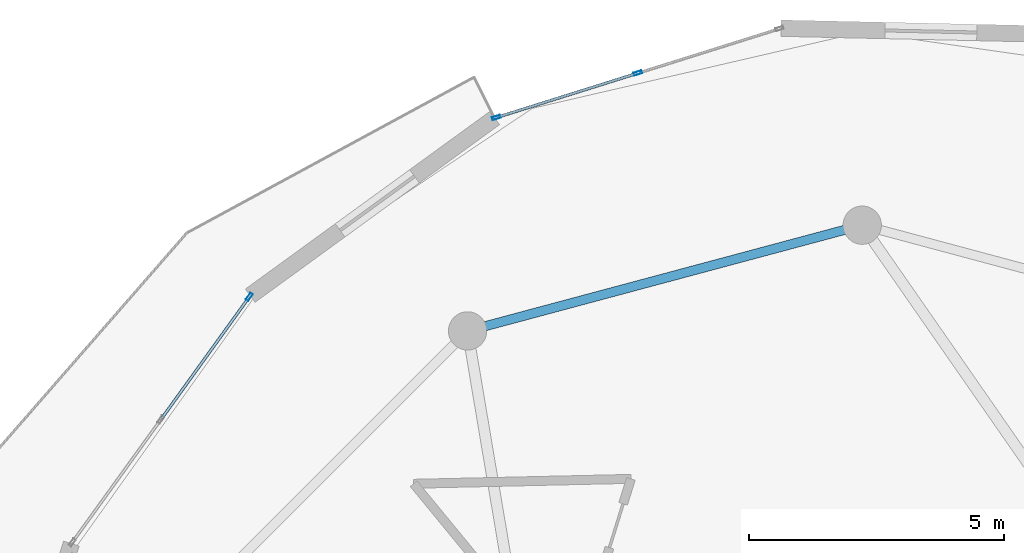
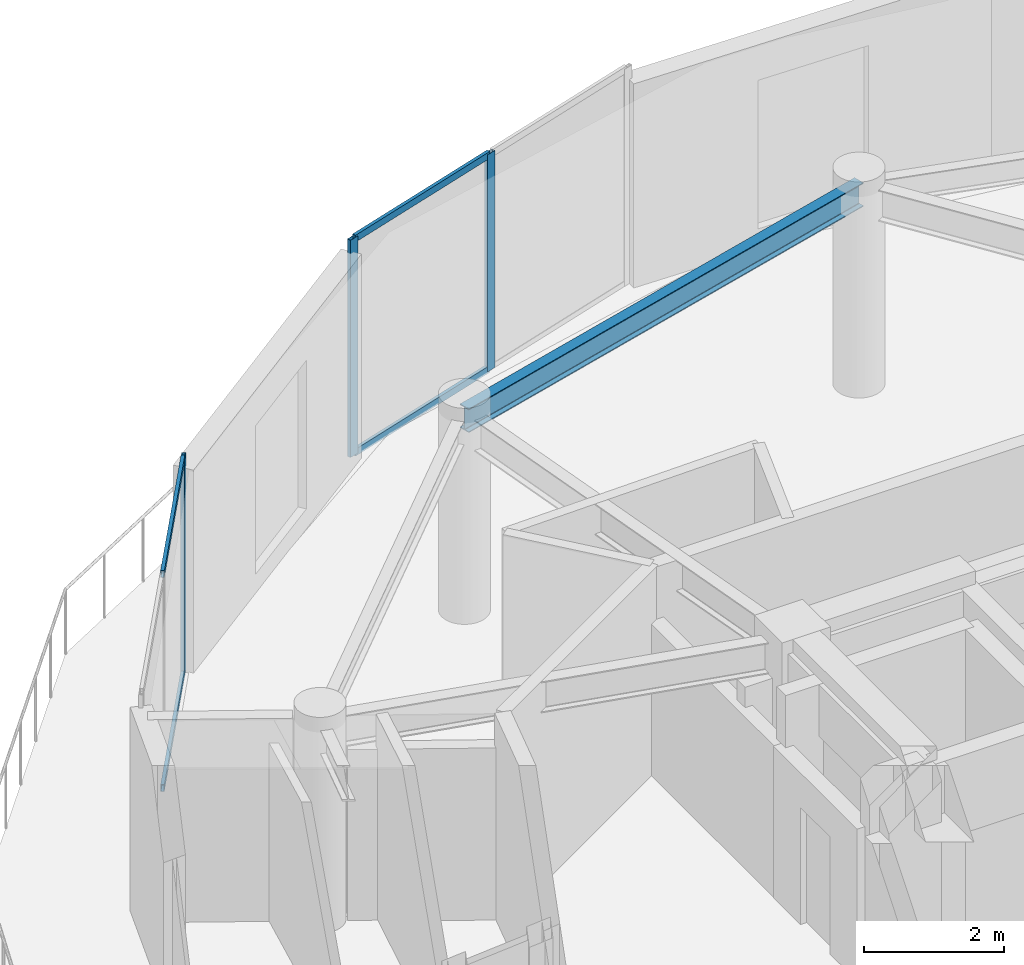
# One storey, part 11 of 19: 7 members, 1 beam, 2 elements without a shape of their own.
"""IFC4 building model written with IfcOpenShell, lengths in metres."""

from ifc_helpers import new_model, si_unit, direction, frame, origin, origin_2d, place, context, subcontext, project, spatial, hollow_rectangle, i_section, extrude, source, transform, mapped, material, layer, layer_set, material_profile, profile_set, type_object, element, aggregate, save


model = new_model("IFC4")

# Units and contexts
model_context = context("Model", 3, precision=1e-05, world=origin(), true_north=direction((0.0, 1.0)))
body_context = subcontext(model_context, "Body", "Model", "MODEL_VIEW")
ifc_project = project(units=[si_unit("LENGTHUNIT", "METRE"), si_unit("AREAUNIT", "SQUARE_METRE"), si_unit("VOLUMEUNIT", "CUBIC_METRE"), si_unit("PLANEANGLEUNIT", "RADIAN"), si_unit("MASSUNIT", "GRAM", prefix="KILO")], contexts=[model_context])

# Site, building, storey
site_placement = place(None, origin())
site = spatial("IfcSite", under=ifc_project, at=site_placement, CompositionType="ELEMENT")
building_placement = place(site_placement, origin())
building = spatial("IfcBuilding", under=site, at=building_placement, Name="Solvirekh Grand Hotel", CompositionType="ELEMENT")
storey_placement = place(building_placement, frame((0.0, 0.0, 254.39990234375)))
storey = spatial("IfcBuildingStorey", under=building, at=storey_placement, Name="L66", CompositionType="ELEMENT", Elevation=254.39990234375)

# Beam
ifc_material_1 = material(Name="Steel S355", Category="steel")
ifc_material_profile_1 = material_profile(ifc_material_1, i_section(OverallWidth=0.180908203125, OverallDepth=0.4169921875, WebThickness=0.010009765625, FlangeThickness=0.01611328125, FilletRadius=0.011962890625, at=origin_2d()), Name="W410X85")
ifc_profile_set_1 = profile_set([ifc_material_profile_1], Name="Steel S355")
beam_type = type_object("IfcBeamType", Name="Spandrel_Ring_W410", PredefinedType="SPANDREL", material=ifc_profile_set_1)
beam_placement = place(storey_placement, frame((0.0, 15.449951171875, 3.362060546875), z_axis=(-0.965921616143, -0.258834757072, 0.0), x_axis=(0.258834757072, -0.965921616143, 0.0)))
element("IfcBeam", 1, at=beam_placement, inside=storey, type_object=beam_type, Name="L66 perimeter spandrel beam 4", PredefinedType="SPANDREL", context=body_context, shape_type="SweptSolid", body=[
    extrude(i_section(OverallWidth=0.180908203125, OverallDepth=0.4169921875, WebThickness=0.010009765625, FlangeThickness=0.01611328125, FilletRadius=0.011962890625, at=origin_2d()), origin(), (0.0, 0.0, 1.0), 7.99755859375),
])

# Curtain wall, members
ifc_material_2 = material(Name="Anodized Bronze Aluminium 6063-T6", Category="aluminium")
ifc_layer = layer(ifc_material_2, 0.159912109375)
ifc_layer_set = layer_set([ifc_layer], Name="Anodized Bronze Aluminium 6063-T6")
curtain_wall_type = type_object("IfcCurtainWallType", Name="CW_Sys4_HighZoneFlushBronzeCW", PredefinedType="NOTDEFINED", material=ifc_layer_set)
curtain_wall_1_placement = place(storey_placement, origin())
curtain_wall_1 = element("IfcCurtainWall", 2, at=curtain_wall_1_placement, inside=storey, type_object=curtain_wall_type, Name="L66 unitised bronze-glass curtain wall CW-L66-C11", PredefinedType="NOTDEFINED")
ifc_material_profile_2 = material_profile(ifc_material_2, hollow_rectangle(XDim=0.06005859375, YDim=0.159912109375, WallThickness=0.0048828125, at=origin_2d()), Name="ALU RHS 160X60X5")
ifc_profile_set_2 = profile_set([ifc_material_profile_2], Name="Anodized Bronze Aluminium 6063-T6")
member_type_1 = type_object("IfcMemberType", Name="CWMullion_Sys4", PredefinedType="MULLION", material=ifc_profile_set_2)
shared_shape_1 = source(origin(), body_context, "Body", "SweptSolid", [
    extrude(hollow_rectangle(XDim=0.06005859375, YDim=0.159912109375, WallThickness=0.0048828125, at=origin_2d()), origin(), (0.0, 0.0, 1.0), 3.800048828125),
])
member_1_placement = place(storey_placement, frame((-4.39208984375, 18.426513671875, 0.0), z_axis=(0.0, 0.0, 1.0), x_axis=(0.299574158927, -0.954073017805, 0.0)))
member_1 = element("IfcMember", 3, at=member_1_placement, type_object=member_type_1, Name="U04 mullion 2", PredefinedType="MULLION", context=body_context, shape_type="MappedRepresentation", body=[
    mapped(shared_shape_1, transform((0.0, 0.0, 0.0), x_axis=(1.0, 0.0, 0.0), y_axis=(0.0, 1.0, 0.0), z_axis=(0.0, 0.0, 1.0), scale=1.0)),
])
member_2_placement = place(storey_placement, frame((-7.164306640625, 17.555908203125, 0.0), z_axis=(0.0, 0.0, 1.0), x_axis=(0.299574158927, -0.954073017805, 0.0)))
member_2 = element("IfcMember", 4, at=member_2_placement, type_object=member_type_1, Name="U04 mullion 3", PredefinedType="MULLION", context=body_context, shape_type="MappedRepresentation", body=[
    mapped(shared_shape_1, transform((0.0, 0.0, 0.0), x_axis=(1.0, 0.0, 0.0), y_axis=(0.0, 1.0, 0.0), z_axis=(0.0, 0.0, 1.0), scale=1.0)),
])

curtain_wall_2_placement = place(storey_placement, origin())
curtain_wall_2 = element("IfcCurtainWall", 5, at=curtain_wall_2_placement, inside=storey, type_object=curtain_wall_type, Name="L66 unitised bronze-glass curtain wall CW-L66-C13", PredefinedType="NOTDEFINED")
member_3_placement = place(storey_placement, frame((-11.99658203125, 14.045654296875, 0.0), z_axis=(0.0, 0.0, 1.0), x_axis=(0.811049169877, -0.584977985947, 0.0)))
member_3 = element("IfcMember", 6, at=member_3_placement, type_object=member_type_1, Name="U04 mullion 1", PredefinedType="MULLION", context=body_context, shape_type="MappedRepresentation", body=[
    mapped(shared_shape_1, transform((0.0, 0.0, 0.0), x_axis=(1.0, 0.0, 0.0), y_axis=(0.0, 1.0, 0.0), z_axis=(0.0, 0.0, 1.0), scale=1.0)),
])
ifc_material_profile_3 = material_profile(ifc_material_2, hollow_rectangle(XDim=0.054931640625, YDim=0.1201171875, WallThickness=0.00390625, at=origin_2d()), Name="ALU RHS 120X55X4")
ifc_profile_set_3 = profile_set([ifc_material_profile_3], Name="Anodized Bronze Aluminium 6063-T6")
member_type_2 = type_object("IfcMemberType", Name="CWTransom_Sys4", PredefinedType="USERDEFINED", material=ifc_profile_set_3)
shared_shape_2 = source(origin(), body_context, "Body", "SweptSolid", [
    extrude(hollow_rectangle(XDim=0.054931640625, YDim=0.1201171875, WallThickness=0.00390625, at=origin_2d()), origin(), (0.0, 0.0, 1.0), 2.90234375),
])
member_4_placement = place(storey_placement, frame((-12.01416015625, 14.021240234375, 0.027587890625), z_axis=(-0.584956030424, -0.811065005083, 0.0), x_axis=(0.811065005083, -0.584956030424, 0.0)))
member_4 = element("IfcMember", 7, at=member_4_placement, type_object=member_type_2, Name="U04 transom 1.1", ObjectType="TRANSOM", PredefinedType="USERDEFINED", context=body_context, shape_type="MappedRepresentation", body=[
    mapped(shared_shape_2, transform((0.0, 0.0, 0.0), x_axis=(1.0, 0.0, 0.0), y_axis=(0.0, 1.0, 0.0), z_axis=(0.0, 0.0, 1.0), scale=1.0)),
])
member_5_placement = place(storey_placement, frame((-12.01416015625, 14.021240234375, 3.772705078125), z_axis=(-0.584956030424, -0.811065005083, 0.0), x_axis=(0.811065005083, -0.584956030424, 0.0)))
member_5 = element("IfcMember", 8, at=member_5_placement, type_object=member_type_2, Name="U04 transom 1.2", ObjectType="TRANSOM", PredefinedType="USERDEFINED", context=body_context, shape_type="MappedRepresentation", body=[
    mapped(shared_shape_2, transform((0.0, 0.0, 0.0), x_axis=(1.0, 0.0, 0.0), y_axis=(0.0, 1.0, 0.0), z_axis=(0.0, 0.0, 1.0), scale=1.0)),
])
aggregate(curtain_wall_2, [member_3, member_4, member_5])

# Member
shared_shape_3 = source(origin(), body_context, "Body", "SweptSolid", [
    extrude(hollow_rectangle(XDim=0.054931640625, YDim=0.1201171875, WallThickness=0.00390625, at=origin_2d()), origin(), (0.0, 0.0, 1.0), 2.845703125),
])
member_6_placement = place(storey_placement, frame((-4.420654296875, 18.41748046875, 0.027587890625), z_axis=(-0.954071507715, -0.299578968163, 0.0), x_axis=(0.299578968163, -0.954071507715, 0.0)))
member_6 = element("IfcMember", 9, at=member_6_placement, type_object=member_type_2, Name="U04 transom 2.1", ObjectType="TRANSOM", PredefinedType="USERDEFINED", context=body_context, shape_type="MappedRepresentation", body=[
    mapped(shared_shape_3, transform((0.0, 0.0, 0.0), x_axis=(1.0, 0.0, 0.0), y_axis=(0.0, 1.0, 0.0), z_axis=(0.0, 0.0, 1.0), scale=1.0)),
])

member_7_placement = place(storey_placement, frame((-4.420654296875, 18.41748046875, 3.772705078125), z_axis=(-0.954071507715, -0.299578968163, 0.0), x_axis=(0.299578968163, -0.954071507715, 0.0)))
member_7 = element("IfcMember", 10, at=member_7_placement, type_object=member_type_2, Name="U04 transom 2.2", ObjectType="TRANSOM", PredefinedType="USERDEFINED", context=body_context, shape_type="MappedRepresentation", body=[
    mapped(shared_shape_3, transform((0.0, 0.0, 0.0), x_axis=(1.0, 0.0, 0.0), y_axis=(0.0, 1.0, 0.0), z_axis=(0.0, 0.0, 1.0), scale=1.0)),
])

aggregate(curtain_wall_1, [member_1, member_2, member_6, member_7])

save(model, "model.ifc")
